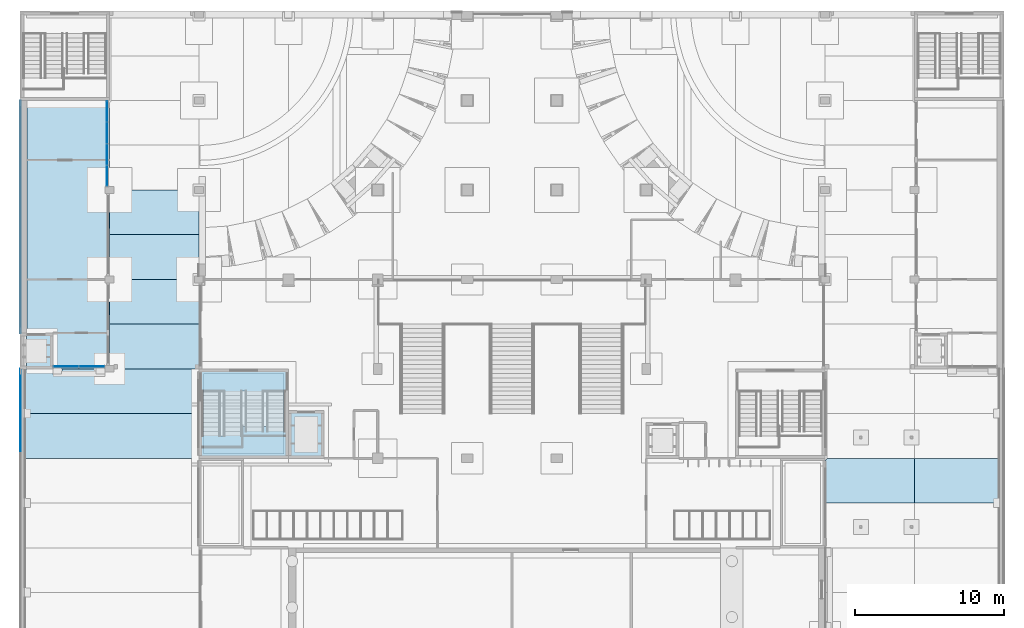
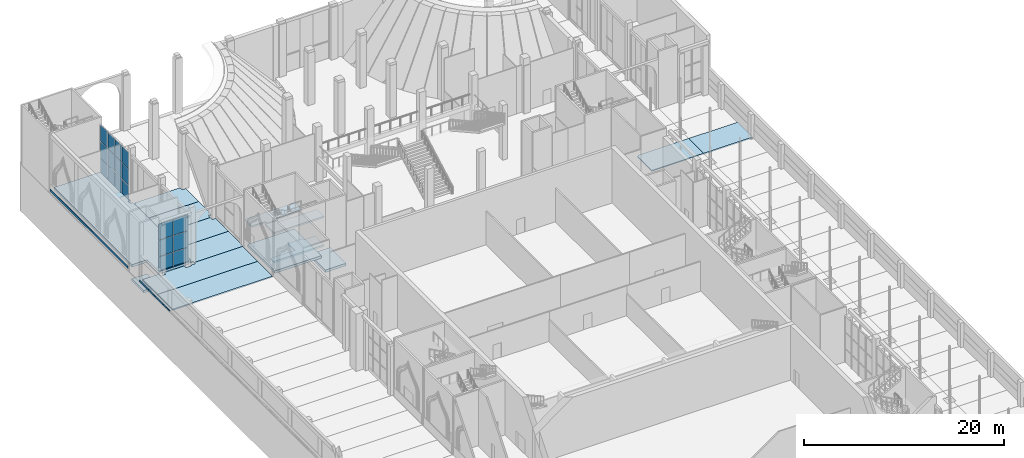
# One storey, part 36 of 95: 18 plates, 18 slabs, 3 elements without a shape of their own.
"""IFC4 building model written with IfcOpenShell, lengths in metres."""

from ifc_helpers import new_model, si_unit, direction, frame, origin, origin_2d, place, context, subcontext, project, spatial, polyline, rectangle, outline, extrude, material, layer, layer_set, type_object, element, aggregate, save


model = new_model("IFC4")

# Units and contexts
model_context = context("Model", 3, precision=1e-05, world=origin(), true_north=direction((0.0, 1.0)))
body_context = subcontext(model_context, "Body", "Model", "MODEL_VIEW")
ifc_project = project(units=[si_unit("LENGTHUNIT", "METRE"), si_unit("AREAUNIT", "SQUARE_METRE"), si_unit("VOLUMEUNIT", "CUBIC_METRE"), si_unit("PLANEANGLEUNIT", "RADIAN"), si_unit("MASSUNIT", "GRAM", prefix="KILO")], contexts=[model_context])

# Site, building, storey
site_placement = place(None, origin())
site = spatial("IfcSite", under=ifc_project, at=site_placement, CompositionType="ELEMENT")
building_placement = place(site_placement, origin())
building = spatial("IfcBuilding", under=site, at=building_placement, Name="Saffron Lane Theatres", CompositionType="ELEMENT")
storey_placement = place(building_placement, origin())
storey = spatial("IfcBuildingStorey", under=building, at=storey_placement, Name="L00", CompositionType="ELEMENT", Elevation=0.0)

# Curtain wall, plates
ifc_material_1 = material(Name="Aluminium", Category="aluminium")
curtain_wall_type_1 = type_object("IfcCurtainWallType", Name="EX-CURTAIN WALL 5780x6150x200", PredefinedType="NOTDEFINED", material=ifc_material_1)
curtain_wall_1_placement = place(storey_placement, origin())
curtain_wall_1 = element("IfcCurtainWall", 1, at=curtain_wall_1_placement, inside=storey, type_object=curtain_wall_type_1, Name="Curtain wall L00 18", PredefinedType="NOTDEFINED")
ifc_material_2 = material(Name="Glass", Category="glass")
ifc_layer_1 = layer(ifc_material_2, 0.031982421875)
ifc_layer_set_1 = layer_set([ifc_layer_1], Name="Glass")
plate_type = type_object("IfcPlateType", Name="EX-CW PANEL GLAZING 32", PredefinedType="CURTAIN_PANEL", material=ifc_layer_set_1)
plate_1_placement = place(storey_placement, frame((5.85009765625, 119.26318359375, 0.06005859375), z_axis=(0.0, 0.0, 1.0), x_axis=(0.0, -1.0, 0.0)))
plate_1 = element("IfcPlate", 2, at=plate_1_placement, type_object=plate_type, Name="CW-00-18 panel 1.1", PredefinedType="CURTAIN_PANEL", context=body_context, shape_type="SweptSolid", body=[
    extrude(rectangle(XDim=1.353759765625, YDim=0.031982421875, at=origin_2d()), origin(), (0.0, 0.0, 1.0), 1.9599609375),
])
plate_2_placement = place(storey_placement, frame((5.85009765625, 119.26318359375, 2.080078125), z_axis=(0.0, 0.0, 1.0), x_axis=(0.0, -1.0, 0.0)))
plate_2 = element("IfcPlate", 3, at=plate_2_placement, type_object=plate_type, Name="CW-00-18 panel 1.2", PredefinedType="CURTAIN_PANEL", context=body_context, shape_type="SweptSolid", body=[
    extrude(rectangle(XDim=1.353759765625, YDim=0.031982421875, at=origin_2d()), origin(), (0.0, 0.0, 1.0), 1.989990234375),
])
plate_3_placement = place(storey_placement, frame((5.85009765625, 119.26318359375, 4.13037109375), z_axis=(0.0, 0.0, 1.0), x_axis=(0.0, -1.0, 0.0)))
plate_3 = element("IfcPlate", 4, at=plate_3_placement, type_object=plate_type, Name="CW-00-18 panel 1.3", PredefinedType="CURTAIN_PANEL", context=body_context, shape_type="SweptSolid", body=[
    extrude(rectangle(XDim=1.353759765625, YDim=0.031982421875, at=origin_2d()), origin(), (0.0, 0.0, 1.0), 1.959716796875),
])
plate_4_placement = place(storey_placement, frame((5.85009765625, 117.83447265625, 0.06005859375), z_axis=(0.0, 0.0, 1.0), x_axis=(0.0, -1.0, 0.0)))
plate_4 = element("IfcPlate", 5, at=plate_4_placement, type_object=plate_type, Name="CW-00-18 panel 2.1", PredefinedType="CURTAIN_PANEL", context=body_context, shape_type="SweptSolid", body=[
    extrude(rectangle(XDim=1.3837890625, YDim=0.031982421875, at=origin_2d()), origin(), (0.0, 0.0, 1.0), 1.9599609375),
])
plate_5_placement = place(storey_placement, frame((5.85009765625, 117.83447265625, 2.080078125), z_axis=(0.0, 0.0, 1.0), x_axis=(0.0, -1.0, 0.0)))
plate_5 = element("IfcPlate", 6, at=plate_5_placement, type_object=plate_type, Name="CW-00-18 panel 2.2", PredefinedType="CURTAIN_PANEL", context=body_context, shape_type="SweptSolid", body=[
    extrude(rectangle(XDim=1.3837890625, YDim=0.031982421875, at=origin_2d()), origin(), (0.0, 0.0, 1.0), 1.989990234375),
])
plate_6_placement = place(storey_placement, frame((5.85009765625, 117.83447265625, 4.13037109375), z_axis=(0.0, 0.0, 1.0), x_axis=(0.0, -1.0, 0.0)))
plate_6 = element("IfcPlate", 7, at=plate_6_placement, type_object=plate_type, Name="CW-00-18 panel 2.3", PredefinedType="CURTAIN_PANEL", context=body_context, shape_type="SweptSolid", body=[
    extrude(rectangle(XDim=1.3837890625, YDim=0.031982421875, at=origin_2d()), origin(), (0.0, 0.0, 1.0), 1.959716796875),
])
plate_7_placement = place(storey_placement, frame((5.85009765625, 116.390625, 0.06005859375), z_axis=(0.0, 0.0, 1.0), x_axis=(0.0, -1.0, 0.0)))
plate_7 = element("IfcPlate", 8, at=plate_7_placement, type_object=plate_type, Name="CW-00-18 panel 3.1", PredefinedType="CURTAIN_PANEL", context=body_context, shape_type="SweptSolid", body=[
    extrude(rectangle(XDim=1.3837890625, YDim=0.031982421875, at=origin_2d()), origin(), (0.0, 0.0, 1.0), 1.9599609375),
])
plate_8_placement = place(storey_placement, frame((5.85009765625, 116.390625, 2.080078125), z_axis=(0.0, 0.0, 1.0), x_axis=(0.0, -1.0, 0.0)))
plate_8 = element("IfcPlate", 9, at=plate_8_placement, type_object=plate_type, Name="CW-00-18 panel 3.2", PredefinedType="CURTAIN_PANEL", context=body_context, shape_type="SweptSolid", body=[
    extrude(rectangle(XDim=1.3837890625, YDim=0.031982421875, at=origin_2d()), origin(), (0.0, 0.0, 1.0), 1.989990234375),
])
plate_9_placement = place(storey_placement, frame((5.85009765625, 116.390625, 4.13037109375), z_axis=(0.0, 0.0, 1.0), x_axis=(0.0, -1.0, 0.0)))
plate_9 = element("IfcPlate", 10, at=plate_9_placement, type_object=plate_type, Name="CW-00-18 panel 3.3", PredefinedType="CURTAIN_PANEL", context=body_context, shape_type="SweptSolid", body=[
    extrude(rectangle(XDim=1.3837890625, YDim=0.031982421875, at=origin_2d()), origin(), (0.0, 0.0, 1.0), 1.959716796875),
])
plate_10_placement = place(storey_placement, frame((5.85009765625, 114.9619140625, 0.06005859375), z_axis=(0.0, 0.0, 1.0), x_axis=(0.0, -1.0, 0.0)))
plate_10 = element("IfcPlate", 11, at=plate_10_placement, type_object=plate_type, Name="CW-00-18 panel 4.1", PredefinedType="CURTAIN_PANEL", context=body_context, shape_type="SweptSolid", body=[
    extrude(rectangle(XDim=1.353759765625, YDim=0.031982421875, at=origin_2d()), origin(), (0.0, 0.0, 1.0), 1.9599609375),
])
plate_11_placement = place(storey_placement, frame((5.85009765625, 114.9619140625, 2.080078125), z_axis=(0.0, 0.0, 1.0), x_axis=(0.0, -1.0, 0.0)))
plate_11 = element("IfcPlate", 12, at=plate_11_placement, type_object=plate_type, Name="CW-00-18 panel 4.2", PredefinedType="CURTAIN_PANEL", context=body_context, shape_type="SweptSolid", body=[
    extrude(rectangle(XDim=1.353759765625, YDim=0.031982421875, at=origin_2d()), origin(), (0.0, 0.0, 1.0), 1.989990234375),
])
plate_12_placement = place(storey_placement, frame((5.85009765625, 114.9619140625, 4.13037109375), z_axis=(0.0, 0.0, 1.0), x_axis=(0.0, -1.0, 0.0)))
plate_12 = element("IfcPlate", 13, at=plate_12_placement, type_object=plate_type, Name="CW-00-18 panel 4.3", PredefinedType="CURTAIN_PANEL", context=body_context, shape_type="SweptSolid", body=[
    extrude(rectangle(XDim=1.353759765625, YDim=0.031982421875, at=origin_2d()), origin(), (0.0, 0.0, 1.0), 1.959716796875),
])
aggregate(curtain_wall_1, [plate_1, plate_2, plate_3, plate_4, plate_5, plate_6, plate_7, plate_8, plate_9, plate_10, plate_11, plate_12])

ifc_material_3 = material(Name="Aluminium", Category="aluminium")
curtain_wall_type_2 = type_object("IfcCurtainWallType", Name="EX-CURTAIN WALL 3500x6050x200", PredefinedType="NOTDEFINED", material=ifc_material_3)
curtain_wall_2_placement = place(storey_placement, origin())
curtain_wall_2 = element("IfcCurtainWall", 14, at=curtain_wall_2_placement, inside=storey, type_object=curtain_wall_type_2, Name="Curtain wall L00 19", PredefinedType="NOTDEFINED")
plate_13_placement = place(storey_placement, frame((4.81005859375, 102.14990234375, 0.06005859375), z_axis=(0.0, 0.0, 1.0), x_axis=(-1.0, 0.0, 0.0)))
plate_13 = element("IfcPlate", 15, at=plate_13_placement, type_object=plate_type, Name="CW-00-19 panel 1.1", PredefinedType="CURTAIN_PANEL", context=body_context, shape_type="SweptSolid", body=[
    extrude(rectangle(XDim=1.659912109375, YDim=0.031982421875, at=origin_2d()), origin(), (0.0, 0.0, 1.0), 1.926513671875),
])
plate_14_placement = place(storey_placement, frame((4.81005859375, 102.14990234375, 2.04638671875), z_axis=(0.0, 0.0, 1.0), x_axis=(-1.0, 0.0, 0.0)))
plate_14 = element("IfcPlate", 16, at=plate_14_placement, type_object=plate_type, Name="CW-00-19 panel 1.2", PredefinedType="CURTAIN_PANEL", context=body_context, shape_type="SweptSolid", body=[
    extrude(rectangle(XDim=1.659912109375, YDim=0.031982421875, at=origin_2d()), origin(), (0.0, 0.0, 1.0), 1.956787109375),
])
plate_15_placement = place(storey_placement, frame((4.81005859375, 102.14990234375, 4.0634765625), z_axis=(0.0, 0.0, 1.0), x_axis=(-1.0, 0.0, 0.0)))
plate_15 = element("IfcPlate", 17, at=plate_15_placement, type_object=plate_type, Name="CW-00-19 panel 1.3", PredefinedType="CURTAIN_PANEL", context=body_context, shape_type="SweptSolid", body=[
    extrude(rectangle(XDim=1.659912109375, YDim=0.031982421875, at=origin_2d()), origin(), (0.0, 0.0, 1.0), 1.926513671875),
])
plate_16_placement = place(storey_placement, frame((3.08984375, 102.14990234375, 0.06005859375), z_axis=(0.0, 0.0, 1.0), x_axis=(-1.0, 0.0, 0.0)))
plate_16 = element("IfcPlate", 18, at=plate_16_placement, type_object=plate_type, Name="CW-00-19 panel 2.1", PredefinedType="CURTAIN_PANEL", context=body_context, shape_type="SweptSolid", body=[
    extrude(rectangle(XDim=1.659912109375, YDim=0.031982421875, at=origin_2d()), origin(), (0.0, 0.0, 1.0), 1.926513671875),
])
plate_17_placement = place(storey_placement, frame((3.08984375, 102.14990234375, 2.04638671875), z_axis=(0.0, 0.0, 1.0), x_axis=(-1.0, 0.0, 0.0)))
plate_17 = element("IfcPlate", 19, at=plate_17_placement, type_object=plate_type, Name="CW-00-19 panel 2.2", PredefinedType="CURTAIN_PANEL", context=body_context, shape_type="SweptSolid", body=[
    extrude(rectangle(XDim=1.659912109375, YDim=0.031982421875, at=origin_2d()), origin(), (0.0, 0.0, 1.0), 1.956787109375),
])
plate_18_placement = place(storey_placement, frame((3.08984375, 102.14990234375, 4.0634765625), z_axis=(0.0, 0.0, 1.0), x_axis=(-1.0, 0.0, 0.0)))
plate_18 = element("IfcPlate", 20, at=plate_18_placement, type_object=plate_type, Name="CW-00-19 panel 2.3", PredefinedType="CURTAIN_PANEL", context=body_context, shape_type="SweptSolid", body=[
    extrude(rectangle(XDim=1.659912109375, YDim=0.031982421875, at=origin_2d()), origin(), (0.0, 0.0, 1.0), 1.926513671875),
])
aggregate(curtain_wall_2, [plate_13, plate_14, plate_15, plate_16, plate_17, plate_18])

# Slabs
ifc_material_4 = material(Name="Masonry bluestone paving", Category="masonry")
ifc_layer_2 = layer(ifc_material_4, 0.1201171875)
ifc_layer_set_2 = layer_set([ifc_layer_2], Name="Masonry bluestone paving")
slab_type_1 = type_object("IfcSlabType", Name="EX-PAVING BLUESTONE 120", PredefinedType="USERDEFINED", material=ifc_layer_set_2)
slab_1_placement = place(storey_placement, frame((0.0, 0.0, -0.1201171875)))
element("IfcSlab", 21, at=slab_1_placement, inside=storey, type_object=slab_type_1, Name="Saffron Lane passage paving 22", ObjectType="PAVING", PredefinedType="USERDEFINED", context=body_context, shape_type="SweptSolid", body=[
    extrude(outline(polyline([(60.0, 93.0), (60.0, 96.0), (54.1201171875, 96.0), (54.119384765625, 95.98828125), (54.11767578125, 95.9765625), (54.11474609375, 95.965087890625), (54.11083984375, 95.9541015625), (54.105712890625, 95.943359375), (54.099853515625, 95.933349609375), (54.0927734375, 95.923828125), (54.0849609375, 95.9150390625), (54.076171875, 95.9072265625), (54.066650390625, 95.900146484375), (54.056640625, 95.894287109375), (54.0458984375, 95.88916015625), (54.034912109375, 95.88525390625), (54.0234375, 95.88232421875), (54.01171875, 95.880615234375), (54.00390625, 95.880126953125), (54.00390625, 95.85009765625), (54.00390625, 93.0), (60.0, 93.0)])), origin(), (0.0, 0.0, 1.0), 0.1201171875),
])
ifc_material_5 = material(Name="Masonry bluestone paving", Category="masonry")
ifc_layer_3 = layer(ifc_material_5, 0.14990234375)
ifc_layer_set_3 = layer_set([ifc_layer_3], Name="Masonry bluestone paving")
slab_type_2 = type_object("IfcSlabType", Name="EX-PAVING BLUESTONE 150", PredefinedType="USERDEFINED", material=ifc_layer_set_3)
slab_2_placement = place(storey_placement, frame((0.0, 0.0, -0.14990234375)))
element("IfcSlab", 22, at=slab_2_placement, inside=storey, type_object=slab_type_2, Name="West court paving 47", ObjectType="PAVING", PredefinedType="USERDEFINED", context=body_context, shape_type="SweptSolid", body=[
    extrude(outline(polyline([(0.055908203125, 101.99609375), (0.00048828125, 101.99609375), (0.0, 101.99609375), (0.0, 101.99609375), (0.0, 99.0), (0.055908203125, 99.0), (0.055908203125, 101.99609375)])), origin(), (0.0, 0.0, 1.0), 0.14990234375),
])
slab_3_placement = place(storey_placement, frame((0.0, 0.0, -0.14990234375)))
element("IfcSlab", 23, at=slab_3_placement, inside=storey, type_object=slab_type_2, Name="West court paving 48", ObjectType="PAVING", PredefinedType="USERDEFINED", context=body_context, shape_type="SweptSolid", body=[
    extrude(outline(polyline([(0.31396484375, 101.99609375), (0.31396484375, 99.0), (11.8798828125, 99.0), (11.8798828125, 102.0), (6.303955078125, 102.0), (6.303955078125, 101.77490234375), (6.303955078125, 101.774658203125), (6.303955078125, 101.774169921875), (6.3037109375, 101.77392578125), (6.3037109375, 101.7734375), (6.303466796875, 101.773193359375), (6.30322265625, 101.772705078125), (6.302978515625, 101.7724609375), (6.302734375, 101.772216796875), (6.302490234375, 101.77197265625), (6.30224609375, 101.771728515625), (6.302001953125, 101.771484375), (6.301513671875, 101.771240234375), (6.30126953125, 101.771240234375), (6.30078125, 101.77099609375), (6.30029296875, 101.77099609375), (6.300048828125, 101.77099609375), (5.7041015625, 101.77099609375), (5.7041015625, 101.64990234375), (5.7041015625, 101.649658203125), (5.703857421875, 101.649169921875), (5.703857421875, 101.64892578125), (5.70361328125, 101.6484375), (5.70361328125, 101.648193359375), (5.703369140625, 101.647705078125), (5.703125, 101.6474609375), (5.702880859375, 101.647216796875), (5.70263671875, 101.64697265625), (5.7021484375, 101.646728515625), (5.701904296875, 101.646484375), (5.701416015625, 101.646240234375), (5.701171875, 101.646240234375), (5.70068359375, 101.64599609375), (5.700439453125, 101.64599609375), (5.699951171875, 101.64599609375), (5.10009765625, 101.64599609375), (5.099609375, 101.64599609375), (5.09912109375, 101.64599609375), (5.098876953125, 101.646240234375), (5.098388671875, 101.646240234375), (5.09814453125, 101.646484375), (5.09765625, 101.646728515625), (5.097412109375, 101.64697265625), (5.09716796875, 101.647216796875), (5.096923828125, 101.6474609375), (5.0966796875, 101.647705078125), (5.096435546875, 101.648193359375), (5.09619140625, 101.6484375), (5.09619140625, 101.64892578125), (5.09619140625, 101.649169921875), (5.095947265625, 101.649658203125), (5.095947265625, 101.64990234375), (5.095947265625, 101.99609375), (2.803955078125, 101.99609375), (2.803955078125, 101.64990234375), (2.803955078125, 101.649658203125), (2.803955078125, 101.649169921875), (2.8037109375, 101.64892578125), (2.8037109375, 101.6484375), (2.803466796875, 101.648193359375), (2.80322265625, 101.647705078125), (2.802978515625, 101.6474609375), (2.802734375, 101.647216796875), (2.802490234375, 101.64697265625), (2.80224609375, 101.646728515625), (2.802001953125, 101.646484375), (2.801513671875, 101.646240234375), (2.80126953125, 101.646240234375), (2.80078125, 101.64599609375), (2.80029296875, 101.64599609375), (2.800048828125, 101.64599609375), (2.199951171875, 101.64599609375), (2.19970703125, 101.64599609375), (2.19921875, 101.64599609375), (2.19873046875, 101.646240234375), (2.198486328125, 101.646240234375), (2.197998046875, 101.646484375), (2.19775390625, 101.646728515625), (2.197509765625, 101.64697265625), (2.197265625, 101.647216796875), (2.197021484375, 101.6474609375), (2.19677734375, 101.647705078125), (2.196533203125, 101.648193359375), (2.1962890625, 101.6484375), (2.1962890625, 101.64892578125), (2.196044921875, 101.649169921875), (2.196044921875, 101.649658203125), (2.196044921875, 101.64990234375), (2.196044921875, 101.99609375), (0.450439453125, 101.99609375), (0.31396484375, 101.99609375)])), origin(), (0.0, 0.0, 1.0), 0.14990234375),
])
slab_4_placement = place(storey_placement, frame((0.0, 0.0, -0.14990234375)))
element("IfcSlab", 24, at=slab_4_placement, inside=storey, type_object=slab_type_2, Name="East court paving 43", ObjectType="PAVING", PredefinedType="USERDEFINED", context=body_context, shape_type="SweptSolid", body=[
    extrude(outline(polyline([(60.0, 96.0), (60.0, 93.0), (65.68603515625, 93.0), (65.68603515625, 96.0), (60.0, 96.0)])), origin(), (0.0, 0.0, 1.0), 0.14990234375),
])
slab_5_placement = place(storey_placement, frame((0.0, 0.0, -0.14990234375)))
element("IfcSlab", 25, at=slab_5_placement, inside=storey, type_object=slab_type_2, Name="West arcade lane paving 2", ObjectType="PAVING", PredefinedType="USERDEFINED", context=body_context, shape_type="SweptSolid", body=[
    extrude(outline(polyline([(6.00390625, 107.77099609375), (6.00390625, 105.0), (11.99609375, 105.0), (11.99609375, 107.59619140625), (11.60009765625, 107.59619140625), (11.599609375, 107.59619140625), (11.599365234375, 107.59619140625), (11.598876953125, 107.59619140625), (11.5986328125, 107.596435546875), (11.59814453125, 107.5966796875), (11.597900390625, 107.5966796875), (11.59765625, 107.596923828125), (11.59716796875, 107.59716796875), (11.596923828125, 107.59765625), (11.5966796875, 107.597900390625), (11.5966796875, 107.59814453125), (11.596435546875, 107.5986328125), (11.59619140625, 107.598876953125), (11.59619140625, 107.599365234375), (11.59619140625, 107.599609375), (11.59619140625, 107.60009765625), (11.59619140625, 108.0), (6.303955078125, 108.0), (6.303955078125, 107.77490234375), (6.303955078125, 107.774658203125), (6.303955078125, 107.774169921875), (6.3037109375, 107.77392578125), (6.3037109375, 107.7734375), (6.303466796875, 107.773193359375), (6.30322265625, 107.772705078125), (6.302978515625, 107.7724609375), (6.302734375, 107.772216796875), (6.302490234375, 107.77197265625), (6.30224609375, 107.771728515625), (6.302001953125, 107.771484375), (6.301513671875, 107.771240234375), (6.30126953125, 107.771240234375), (6.30078125, 107.77099609375), (6.30029296875, 107.77099609375), (6.300048828125, 107.77099609375), (6.00390625, 107.77099609375)])), origin(), (0.0, 0.0, 1.0), 0.14990234375),
])
slab_6_placement = place(storey_placement, frame((0.0, 0.0, -0.14990234375)))
element("IfcSlab", 26, at=slab_6_placement, inside=storey, type_object=slab_type_2, Name="West arcade lane paving 4", ObjectType="PAVING", PredefinedType="USERDEFINED", context=body_context, shape_type="SweptSolid", body=[
    extrude(outline(polyline([(6.00390625, 113.77099609375), (6.00390625, 111.0), (12.0, 111.0), (12.0, 113.59619140625), (11.60009765625, 113.59619140625), (11.599609375, 113.59619140625), (11.599365234375, 113.59619140625), (11.598876953125, 113.59619140625), (11.5986328125, 113.596435546875), (11.59814453125, 113.5966796875), (11.597900390625, 113.5966796875), (11.59765625, 113.596923828125), (11.59716796875, 113.59716796875), (11.596923828125, 113.59765625), (11.5966796875, 113.597900390625), (11.5966796875, 113.59814453125), (11.596435546875, 113.5986328125), (11.59619140625, 113.598876953125), (11.59619140625, 113.599365234375), (11.59619140625, 113.599609375), (11.59619140625, 113.60009765625), (11.59619140625, 114.0), (6.303955078125, 114.0), (6.303955078125, 113.77490234375), (6.303955078125, 113.774658203125), (6.303955078125, 113.774169921875), (6.3037109375, 113.77392578125), (6.3037109375, 113.7734375), (6.303466796875, 113.773193359375), (6.30322265625, 113.772705078125), (6.302978515625, 113.7724609375), (6.302734375, 113.772216796875), (6.302490234375, 113.77197265625), (6.30224609375, 113.771728515625), (6.302001953125, 113.771484375), (6.301513671875, 113.771240234375), (6.30126953125, 113.771240234375), (6.30078125, 113.77099609375), (6.30029296875, 113.77099609375), (6.300048828125, 113.77099609375), (6.00390625, 113.77099609375)])), origin(), (0.0, 0.0, 1.0), 0.14990234375),
])
ifc_material_6 = material(Name="Masonry sandstone paving", Category="masonry")
ifc_layer_4 = layer(ifc_material_6, 0.14990234375)
ifc_layer_set_4 = layer_set([ifc_layer_4], Name="Masonry sandstone paving")
slab_type_3 = type_object("IfcSlabType", Name="EX-PAVING SANDSTONE 150", PredefinedType="USERDEFINED", material=ifc_layer_set_4)
slab_7_placement = place(storey_placement, frame((0.0, 0.0, -0.14990234375)))
element("IfcSlab", 27, at=slab_7_placement, inside=storey, type_object=slab_type_3, Name="West court paving 45", ObjectType="PAVING", PredefinedType="USERDEFINED", context=body_context, shape_type="SweptSolid", body=[
    extrude(outline(polyline([(0.055908203125, 96.0), (0.055908203125, 99.0), (0.0, 99.0), (0.0, 96.0), (0.055908203125, 96.0)])), origin(), (0.0, 0.0, 1.0), 0.14990234375),
])
slab_8_placement = place(storey_placement, frame((0.0, 0.0, -0.14990234375)))
element("IfcSlab", 28, at=slab_8_placement, inside=storey, type_object=slab_type_3, Name="West court paving 46", ObjectType="PAVING", PredefinedType="USERDEFINED", context=body_context, shape_type="SweptSolid", body=[
    extrude(outline(polyline([(0.31396484375, 99.0), (0.31396484375, 96.0), (11.8798828125, 96.0), (11.8798828125, 99.0), (0.31396484375, 99.0)])), origin(), (0.0, 0.0, 1.0), 0.14990234375),
])
slab_9_placement = place(storey_placement, frame((0.0, 0.0, -0.14990234375)))
element("IfcSlab", 29, at=slab_9_placement, inside=storey, type_object=slab_type_3, Name="West arcade lane paving 1", ObjectType="PAVING", PredefinedType="USERDEFINED", context=body_context, shape_type="SweptSolid", body=[
    extrude(outline(polyline([(6.303466796875, 102.226806640625), (6.3037109375, 102.2265625), (6.3037109375, 102.22607421875), (6.303955078125, 102.225830078125), (6.303955078125, 102.225341796875), (6.303955078125, 102.22509765625), (6.303955078125, 102.0), (11.8798828125, 102.0), (11.880615234375, 102.01171875), (11.88232421875, 102.0234375), (11.88525390625, 102.034912109375), (11.88916015625, 102.0458984375), (11.894287109375, 102.056640625), (11.900146484375, 102.066650390625), (11.9072265625, 102.076171875), (11.9150390625, 102.0849609375), (11.923828125, 102.0927734375), (11.933349609375, 102.099853515625), (11.943359375, 102.105712890625), (11.9541015625, 102.11083984375), (11.965087890625, 102.11474609375), (11.9765625, 102.11767578125), (11.98828125, 102.119384765625), (11.99609375, 102.119873046875), (11.99609375, 105.0), (6.00390625, 105.0), (6.00390625, 102.22900390625), (6.300048828125, 102.22900390625), (6.30029296875, 102.22900390625), (6.30078125, 102.22900390625), (6.30126953125, 102.228759765625), (6.301513671875, 102.228759765625), (6.302001953125, 102.228515625), (6.30224609375, 102.228271484375), (6.302490234375, 102.22802734375), (6.302734375, 102.227783203125), (6.302978515625, 102.2275390625), (6.30322265625, 102.227294921875), (6.303466796875, 102.226806640625)])), origin(), (0.0, 0.0, 1.0), 0.14990234375),
])
slab_10_placement = place(storey_placement, frame((0.0, 0.0, -0.14990234375)))
element("IfcSlab", 30, at=slab_10_placement, inside=storey, type_object=slab_type_3, Name="West arcade lane paving 3", ObjectType="PAVING", PredefinedType="USERDEFINED", context=body_context, shape_type="SweptSolid", body=[
    extrude(outline(polyline([(6.303955078125, 108.22509765625), (6.303955078125, 108.0), (11.59619140625, 108.0), (11.59619140625, 108.39990234375), (11.59619140625, 108.400390625), (11.59619140625, 108.400634765625), (11.59619140625, 108.401123046875), (11.596435546875, 108.4013671875), (11.5966796875, 108.40185546875), (11.5966796875, 108.402099609375), (11.596923828125, 108.40234375), (11.59716796875, 108.40283203125), (11.59765625, 108.403076171875), (11.597900390625, 108.4033203125), (11.59814453125, 108.4033203125), (11.5986328125, 108.403564453125), (11.598876953125, 108.40380859375), (11.599365234375, 108.40380859375), (11.599609375, 108.40380859375), (11.60009765625, 108.40380859375), (11.9560546875, 108.40380859375), (11.9560546875, 109.03125), (11.9560546875, 109.03173828125), (11.9560546875, 109.031982421875), (11.9560546875, 109.032470703125), (11.956298828125, 109.03271484375), (11.95654296875, 109.033203125), (11.95654296875, 109.033447265625), (11.956787109375, 109.03369140625), (11.95703125, 109.0341796875), (11.95751953125, 109.034423828125), (11.957763671875, 109.03466796875), (11.9580078125, 109.03466796875), (11.95849609375, 109.034912109375), (11.958740234375, 109.03515625), (11.959228515625, 109.03515625), (11.95947265625, 109.03515625), (11.9599609375, 109.03515625), (11.99609375, 109.03515625), (11.99609375, 109.403564453125), (11.99609375, 109.404052734375), (11.99609375, 109.404296875), (11.99609375, 109.40478515625), (11.996337890625, 109.405029296875), (11.99658203125, 109.405517578125), (11.99658203125, 109.40576171875), (11.996826171875, 109.40625), (11.997314453125, 109.406494140625), (11.99755859375, 109.40673828125), (11.997802734375, 109.406982421875), (11.998046875, 109.4072265625), (11.99853515625, 109.4072265625), (11.998779296875, 109.407470703125), (11.999267578125, 109.407470703125), (11.999755859375, 109.407470703125), (12.0, 109.40771484375), (12.0, 109.43212890625), (11.999755859375, 109.43212890625), (11.99951171875, 109.43212890625), (11.9990234375, 109.432373046875), (11.998779296875, 109.432373046875), (11.998291015625, 109.4326171875), (11.998046875, 109.4326171875), (11.997802734375, 109.432861328125), (11.997314453125, 109.43310546875), (11.9970703125, 109.433349609375), (11.996826171875, 109.43359375), (11.99658203125, 109.43408203125), (11.996337890625, 109.434326171875), (11.996337890625, 109.434814453125), (11.99609375, 109.43505859375), (11.99609375, 109.435546875), (11.99609375, 109.435791015625), (11.99609375, 109.436279296875), (11.99609375, 109.699462890625), (11.99609375, 109.699951171875), (11.99609375, 109.7001953125), (11.99609375, 109.70068359375), (11.996337890625, 109.701171875), (11.99658203125, 109.701416015625), (11.99658203125, 109.70166015625), (11.996826171875, 109.7021484375), (11.997314453125, 109.702392578125), (11.99755859375, 109.70263671875), (11.997802734375, 109.702880859375), (11.998291015625, 109.703125), (11.99853515625, 109.703125), (11.9990234375, 109.703369140625), (11.999267578125, 109.703369140625), (11.999755859375, 109.70361328125), (12.0, 109.70361328125), (12.0, 111.0), (6.00390625, 111.0), (6.00390625, 108.22900390625), (6.300048828125, 108.22900390625), (6.30029296875, 108.22900390625), (6.30078125, 108.22900390625), (6.30126953125, 108.228759765625), (6.301513671875, 108.228759765625), (6.302001953125, 108.228515625), (6.30224609375, 108.228271484375), (6.302490234375, 108.22802734375), (6.302734375, 108.227783203125), (6.302978515625, 108.2275390625), (6.30322265625, 108.227294921875), (6.303466796875, 108.226806640625), (6.3037109375, 108.2265625), (6.3037109375, 108.22607421875), (6.303955078125, 108.225830078125), (6.303955078125, 108.225341796875), (6.303955078125, 108.22509765625)])), origin(), (0.0, 0.0, 1.0), 0.14990234375),
])
ifc_material_7 = material(Name="Concrete N40 (40 MPa)", Category="concrete")
ifc_layer_5 = layer(ifc_material_7, 0.300048828125)
ifc_layer_set_5 = layer_set([ifc_layer_5], Name="Concrete N40 (40 MPa)")
slab_type_4 = type_object("IfcSlabType", Name="RC-SLAB BASE 300", PredefinedType="BASESLAB", material=ifc_layer_set_5)
slab_11_placement = place(storey_placement, origin())
element("IfcSlab", 31, at=slab_11_placement, inside=storey, type_object=slab_type_4, Name="slab-L00-WING_W-1", PredefinedType="BASESLAB", context=body_context, shape_type="SweptSolid", body=[
    extrude(outline(polyline([(5.697998046875, 114.22705078125), (6.0, 114.22705078125), (6.0, 120.0), (0.4599609375, 120.0), (0.4599609375, 104.39990234375), (2.199951171875, 104.39990234375), (2.199951171875, 102.0), (5.697998046875, 102.0), (5.697998046875, 102.22705078125), (6.0, 102.22705078125), (6.0, 107.77294921875), (5.697998046875, 107.77294921875), (5.697998046875, 108.22705078125), (6.0, 108.22705078125), (6.0, 113.77294921875), (5.697998046875, 113.77294921875), (5.697998046875, 114.22705078125)])), origin(), (0.0, 0.0, 1.0), 0.300048828125),
])
slab_12_placement = place(storey_placement, origin())
element("IfcSlab", 32, at=slab_12_placement, inside=storey, type_object=slab_type_4, Name="slab-L00-WING_W-2", PredefinedType="BASESLAB", context=body_context, shape_type="SweptSolid", body=[
    extrude(outline(polyline([(0.06005859375, 120.0), (0.00048828125, 120.0), (0.00048828125, 104.39990234375), (0.06005859375, 104.39990234375), (0.06005859375, 120.0)])), origin(), (0.0, 0.0, 1.0), 0.300048828125),
])
slab_13_placement = place(storey_placement, origin())
element("IfcSlab", 33, at=slab_13_placement, inside=storey, type_object=slab_type_4, Name="slab-L00-core-ST1", PredefinedType="BASESLAB", context=body_context, shape_type="SweptSolid", body=[
    extrude(outline(polyline([(12.300048828125, 96.300048828125), (17.699951171875, 96.300048828125), (17.699951171875, 101.699951171875), (12.300048828125, 101.699951171875), (12.300048828125, 96.300048828125)])), origin(), (0.0, 0.0, 1.0), 0.300048828125),
])
slab_14_placement = place(storey_placement, frame((0.0, 0.0, -1.699951171875)))
element("IfcSlab", 34, at=slab_14_placement, inside=storey, type_object=slab_type_4, Name="slab-pit-LC1", PredefinedType="BASESLAB", context=body_context, shape_type="SweptSolid", body=[
    extrude(outline(polyline([(18.0, 96.0), (20.39990234375, 96.0), (20.39990234375, 99.199951171875), (18.0, 99.199951171875), (18.0, 96.0)])), origin(), (0.0, 0.0, 1.0), 0.300048828125),
])
slab_15_placement = place(storey_placement, frame((0.0, 0.0, -1.699951171875)))
element("IfcSlab", 35, at=slab_15_placement, inside=storey, type_object=slab_type_4, Name="slab-pit-LC7", PredefinedType="BASESLAB", context=body_context, shape_type="SweptSolid", body=[
    extrude(outline(polyline([(2.199951171875, 102.0), (2.199951171875, 104.39990234375), (0.450439453125, 104.39990234375), (0.450439453125, 102.0), (2.199951171875, 102.0)])), origin(), (0.0, 0.0, 1.0), 0.300048828125),
])

# Stair, slabs
ifc_material_8 = material(Name="Concrete N40 (40 MPa)", Category="concrete")
stair_type = type_object("IfcStairType", Name="VC-STAIR EXIT", PredefinedType="TWO_STRAIGHT_RUN_STAIR", material=ifc_material_8)
stair_placement = place(storey_placement, origin())
stair = element("IfcStair", 36, at=stair_placement, inside=storey, type_object=stair_type, Name="Brick Block West Stair L00 to L01", PredefinedType="TWO_STRAIGHT_RUN_STAIR")
ifc_material_9 = material(Name="Concrete N40 (40 MPa)", Category="concrete")
ifc_layer_6 = layer(ifc_material_9, 0.199951171875)
ifc_layer_set_6 = layer_set([ifc_layer_6], Name="Concrete N40 (40 MPa)")
slab_type_5 = type_object("IfcSlabType", Name="VC-LANDING 200", PredefinedType="LANDING", material=ifc_layer_set_6)
slab_16_placement = place(storey_placement, frame((0.0, 0.0, 1.466552734375)))
slab_16 = element("IfcSlab", 37, at=slab_16_placement, type_object=slab_type_5, Name="ST1 landing 1", PredefinedType="LANDING", context=body_context, shape_type="SweptSolid", body=[
    extrude(outline(polyline([(14.89990234375, 98.14990234375), (16.550048828125, 98.14990234375), (16.550048828125, 97.89990234375), (17.89990234375, 97.89990234375), (17.89990234375, 96.10009765625), (12.10009765625, 96.10009765625), (12.10009765625, 96.75), (14.89990234375, 96.75), (14.89990234375, 98.14990234375)])), origin(), (0.0, 0.0, 1.0), 0.2001953125),
])
slab_17_placement = place(storey_placement, frame((0.0, 0.0, 3.13330078125)))
slab_17 = element("IfcSlab", 38, at=slab_17_placement, type_object=slab_type_5, Name="ST1 landing 2", PredefinedType="LANDING", context=body_context, shape_type="SweptSolid", body=[
    extrude(outline(polyline([(12.10009765625, 100.5), (12.10009765625, 101.89990234375), (17.89990234375, 101.89990234375), (17.89990234375, 100.5), (16.35009765625, 100.5), (16.35009765625, 100.39990234375), (15.10009765625, 100.39990234375), (15.10009765625, 100.5), (14.89990234375, 100.5), (14.89990234375, 100.14990234375), (13.64990234375, 100.14990234375), (13.64990234375, 100.5), (12.10009765625, 100.5)])), origin(), (0.0, 0.0, 1.0), 0.199951171875),
])
slab_18_placement = place(storey_placement, frame((0.0, 0.0, 4.966552734375)))
slab_18 = element("IfcSlab", 39, at=slab_18_placement, type_object=slab_type_5, Name="ST1 landing 3", PredefinedType="LANDING", context=body_context, shape_type="SweptSolid", body=[
    extrude(outline(polyline([(13.449951171875, 97.5), (13.64990234375, 97.5), (13.64990234375, 97.60009765625), (14.89990234375, 97.60009765625), (14.89990234375, 97.5), (17.89990234375, 97.5), (17.89990234375, 96.10009765625), (12.10009765625, 96.10009765625), (12.10009765625, 97.85009765625), (13.449951171875, 97.85009765625), (13.449951171875, 97.5)])), origin(), (0.0, 0.0, 1.0), 0.2001953125),
])
aggregate(stair, [slab_16, slab_17, slab_18])

save(model, "model.ifc")
